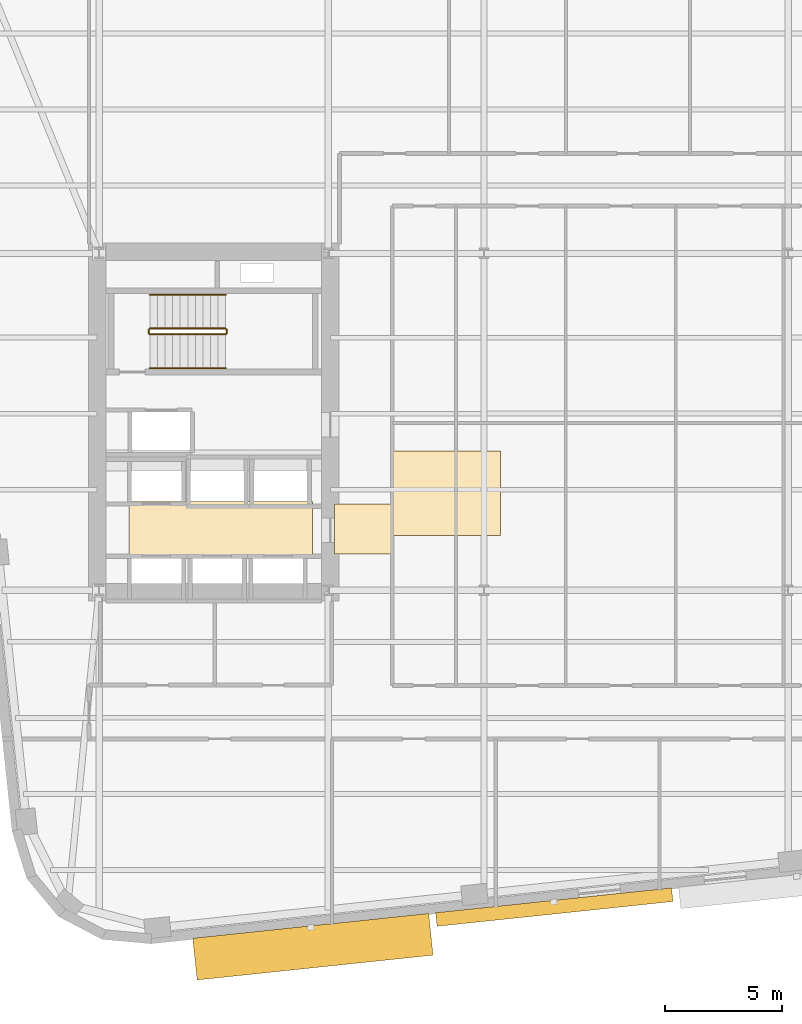
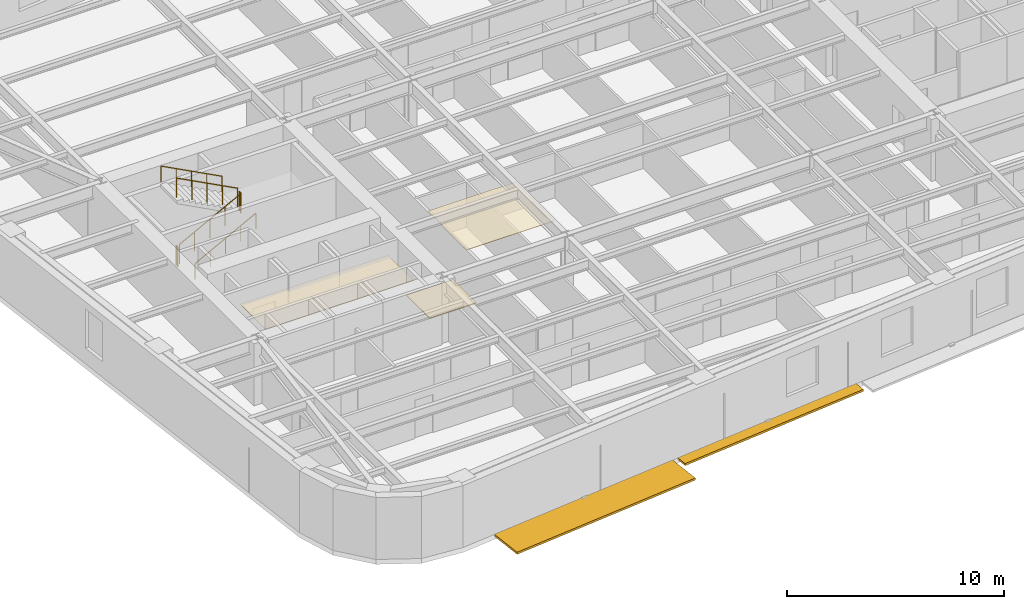
# One storey, part 9 of 13: 6 railings, 3 coverings, 2 shading devices.
"""IFC4 building model written with IfcOpenShell, lengths in metres."""

from ifc_helpers import new_model, si_unit, direction, frame, origin, origin_2d, place, context, subcontext, project, spatial, polyline, rectangle, circle, outline, extrude, material, layer, layer_set, type_object, element, save


model = new_model("IFC4")

# Units and contexts
model_context = context("Model", 3, precision=1e-05, world=origin(), true_north=direction((0.0, 1.0)))
body_context = subcontext(model_context, "Body", "Model", "MODEL_VIEW")
ifc_project = project(units=[si_unit("LENGTHUNIT", "METRE"), si_unit("AREAUNIT", "SQUARE_METRE"), si_unit("VOLUMEUNIT", "CUBIC_METRE"), si_unit("PLANEANGLEUNIT", "RADIAN"), si_unit("MASSUNIT", "GRAM", prefix="KILO")], contexts=[model_context])

# Site, building, storey
site_placement = place(None, origin())
site = spatial("IfcSite", under=ifc_project, at=site_placement, CompositionType="ELEMENT")
building_placement = place(site_placement, origin())
building = spatial("IfcBuilding", under=site, at=building_placement, Name="Kolvaren Arena Tower", CompositionType="ELEMENT")
storey_placement = place(building_placement, frame((0.0, 0.0, 145.75)))
storey = spatial("IfcBuildingStorey", under=building, at=storey_placement, Name="L34", CompositionType="ELEMENT", Elevation=145.75)

# Coverings
ifc_material_1 = material(Name="Mineral fibre acoustic ceiling tile", Category="gypsum")
ifc_layer_1 = layer(ifc_material_1, 0.02490234375)
ifc_layer_set_1 = layer_set([ifc_layer_1], Name="Mineral fibre acoustic ceiling tile")
covering_type_1 = type_object("IfcCoveringType", Name="CEIL-ACT-1", PredefinedType="CEILING", material=ifc_layer_set_1)
covering_1_placement = place(storey_placement, frame((0.0, 0.0, 2.52001953125)))
element("IfcCovering", 1, at=covering_1_placement, inside=storey, type_object=covering_type_1, Name="Suspended Ceiling (L34)", PredefinedType="CEILING", context=body_context, shape_type="SweptSolid", body=[
    extrude(outline(polyline([(27.050048828125, 21.800048828125), (27.050048828125, 25.39990234375), (31.699951171875, 25.39990234375), (31.699951171875, 21.800048828125), (27.050048828125, 21.800048828125)])), origin(), (0.0, 0.0, 1.0), 0.02490234375),
])
ifc_material_2 = material(Name="Moisture-resistant gypsum ceiling", Category="gypsum")
ifc_layer_2 = layer(ifc_material_2, 0.030029296875)
ifc_layer_set_2 = layer_set([ifc_layer_2], Name="Moisture-resistant gypsum ceiling")
covering_type_2 = type_object("IfcCoveringType", Name="CEIL-GYP-1", PredefinedType="CEILING", material=ifc_layer_set_2)
covering_2_placement = place(storey_placement, frame((0.0, 0.0, 2.52001953125)))
element("IfcCovering", 2, at=covering_2_placement, inside=storey, type_object=covering_type_2, Name="Suspended Ceiling (L34)", PredefinedType="CEILING", context=body_context, shape_type="SweptSolid", body=[
    extrude(outline(polyline([(15.820068359375, 20.89990234375), (15.820068359375, 23.239990234375), (23.679931640625, 23.239990234375), (23.679931640625, 20.89990234375), (15.820068359375, 20.89990234375)])), origin(), (0.0, 0.0, 1.0), 0.030029296875),
])
ifc_material_3 = material(Name="Raised access office floor finish", Category="aluminium")
ifc_layer_3 = layer(ifc_material_3, 0.044921875)
ifc_layer_set_3 = layer_set([ifc_layer_3], Name="Raised access office floor finish")
covering_type_3 = type_object("IfcCoveringType", Name="FLOR-RAF-1", PredefinedType="FLOORING", material=ifc_layer_set_3)
covering_3_placement = place(storey_placement, origin())
element("IfcCovering", 3, at=covering_3_placement, inside=storey, type_object=covering_type_3, Name="Floor Finish (L34)", PredefinedType="FLOORING", context=body_context, shape_type="SweptSolid", body=[
    extrude(outline(polyline([(24.60009765625, 21.0), (24.60009765625, 23.14990234375), (27.080078125, 23.14990234375), (27.080078125, 21.0), (24.60009765625, 21.0)])), origin(), (0.0, 0.0, 1.0), 0.044921875),
])

# Railings
ifc_material_4 = material(Name="Painted galvanized steel", Category="steel")
railing_type_1 = type_object("IfcRailingType", Name="GUARD-ST-110", PredefinedType="GUARDRAIL", material=ifc_material_4)
railing_1_placement = place(storey_placement, frame((16.719970703125, 30.389892578125, 0.17041015625)))
element("IfcRailing", 4, at=railing_1_placement, inside=storey, type_object=railing_type_1, Name="L34 ST-W1 stair guard 1", PredefinedType="GUARDRAIL", context=body_context, shape_type="SweptSolid", body=[
    extrude(circle(Radius=0.02392578125, at=origin_2d()), frame((0.0, 0.0, 1.076171875), z_axis=(0.884993431791, 0.0, 0.465603506952), x_axis=(0.0, 1.0, 0.0)), (0.0, 0.0, 1.0), 3.6611328125),
    extrude(circle(Radius=0.02099609375, at=origin_2d()), origin(), (0.0, 0.0, 1.0), 1.052001953125),
    extrude(circle(Radius=0.02099609375, at=origin_2d()), frame((0.81005859375, 0.0, 0.42626953125)), (0.0, 0.0, 1.0), 1.052001953125),
    extrude(circle(Radius=0.02099609375, at=origin_2d()), frame((1.6201171875, 0.0, 0.852294921875)), (0.0, 0.0, 1.0), 1.052001953125),
    extrude(circle(Radius=0.02099609375, at=origin_2d()), frame((2.429931640625, 0.0, 1.2783203125)), (0.0, 0.0, 1.0), 1.052001953125),
    extrude(circle(Radius=0.02099609375, at=origin_2d()), frame((3.239990234375, 0.0, 1.70458984375)), (0.0, 0.0, 1.0), 1.052001953125),
])
railing_2_placement = place(storey_placement, frame((20.010009765625, 30.43994140625, 1.875)))
element("IfcRailing", 5, at=railing_2_placement, inside=storey, type_object=railing_type_1, Name="L34 ST-W1 stair guard 2", PredefinedType="GUARDRAIL", context=body_context, shape_type="SweptSolid", body=[
    extrude(circle(Radius=0.02392578125, at=origin_2d()), frame((0.0, 0.0, 1.076171875), z_axis=(0.0, 1.0, 0.0), x_axis=(-1.0, 0.0, 0.0)), (0.0, 0.0, 1.0), 0.150146484375),
    extrude(circle(Radius=0.02099609375, at=origin_2d()), origin(), (0.0, 0.0, 1.0), 1.052001953125),
    extrude(circle(Radius=0.02099609375, at=origin_2d()), frame((0.0, 0.150146484375, 0.0)), (0.0, 0.0, 1.0), 1.052001953125),
])
railing_3_placement = place(storey_placement, frame((19.9599609375, 30.639892578125, 2.04541015625)))
element("IfcRailing", 6, at=railing_3_placement, inside=storey, type_object=railing_type_1, Name="L34 ST-W1 stair guard 3", PredefinedType="GUARDRAIL", context=body_context, shape_type="SweptSolid", body=[
    extrude(circle(Radius=0.02392578125, at=origin_2d()), frame((0.0, 0.0, 1.076171875), z_axis=(-0.884993431791, 0.0, 0.465603506952), x_axis=(0.0, -1.0, 0.0)), (0.0, 0.0, 1.0), 3.6611328125),
    extrude(circle(Radius=0.02099609375, at=origin_2d()), origin(), (0.0, 0.0, 1.0), 1.052001953125),
    extrude(circle(Radius=0.02099609375, at=origin_2d()), frame((-0.81005859375, 0.0, 0.42626953125)), (0.0, 0.0, 1.0), 1.052001953125),
    extrude(circle(Radius=0.02099609375, at=origin_2d()), frame((-1.6201171875, 0.0, 0.852294921875)), (0.0, 0.0, 1.0), 1.052001953125),
    extrude(circle(Radius=0.02099609375, at=origin_2d()), frame((-2.429931640625, 0.0, 1.2783203125)), (0.0, 0.0, 1.0), 1.052001953125),
    extrude(circle(Radius=0.02099609375, at=origin_2d()), frame((-3.239990234375, 0.0, 1.70458984375)), (0.0, 0.0, 1.0), 1.052001953125),
])
railing_4_placement = place(storey_placement, frame((16.669921875, 30.43994140625, 0.0)))
element("IfcRailing", 7, at=railing_4_placement, inside=storey, type_object=railing_type_1, Name="L34 ST-W1 stair guard 4", PredefinedType="GUARDRAIL", context=body_context, shape_type="SweptSolid", body=[
    extrude(circle(Radius=0.02392578125, at=origin_2d()), frame((0.0, 0.0, 1.076171875), z_axis=(0.0, 1.0, 0.0), x_axis=(-1.0, 0.0, 0.0)), (0.0, 0.0, 1.0), 0.150146484375),
    extrude(circle(Radius=0.02099609375, at=origin_2d()), origin(), (0.0, 0.0, 1.0), 1.052001953125),
    extrude(circle(Radius=0.02099609375, at=origin_2d()), frame((0.0, 0.150146484375, 0.0)), (0.0, 0.0, 1.0), 1.052001953125),
])
ifc_material_5 = material(Name="Brushed stainless steel handrail", Category="steel")
railing_type_2 = type_object("IfcRailingType", Name="HRAIL-900", PredefinedType="HANDRAIL", material=ifc_material_5)
railing_5_placement = place(storey_placement, frame((16.719970703125, 28.949951171875, 0.17041015625)))
element("IfcRailing", 8, at=railing_5_placement, inside=storey, type_object=railing_type_2, Name="L34 ST-W1 stair handrail 1", PredefinedType="HANDRAIL", context=body_context, shape_type="SweptSolid", body=[
    extrude(circle(Radius=0.02392578125, at=origin_2d()), frame((0.0, 0.0, 0.8759765625), z_axis=(0.884993431791, 0.0, 0.465603506952), x_axis=(0.0, 1.0, 0.0)), (0.0, 0.0, 1.0), 3.6611328125),
    extrude(circle(Radius=0.02099609375, at=origin_2d()), origin(), (0.0, 0.0, 1.0), 0.851806640625),
    extrude(circle(Radius=0.02099609375, at=origin_2d()), frame((0.81005859375, 0.0, 0.42626953125)), (0.0, 0.0, 1.0), 0.851806640625),
    extrude(circle(Radius=0.02099609375, at=origin_2d()), frame((1.6201171875, 0.0, 0.852294921875)), (0.0, 0.0, 1.0), 0.851806640625),
    extrude(circle(Radius=0.02099609375, at=origin_2d()), frame((2.429931640625, 0.0, 1.2783203125)), (0.0, 0.0, 1.0), 0.851806640625),
    extrude(circle(Radius=0.02099609375, at=origin_2d()), frame((3.239990234375, 0.0, 1.70458984375)), (0.0, 0.0, 1.0), 0.851806640625),
])
railing_6_placement = place(storey_placement, frame((19.9599609375, 32.080078125, 2.04541015625)))
element("IfcRailing", 9, at=railing_6_placement, inside=storey, type_object=railing_type_2, Name="L34 ST-W1 stair handrail 2", PredefinedType="HANDRAIL", context=body_context, shape_type="SweptSolid", body=[
    extrude(circle(Radius=0.02392578125, at=origin_2d()), frame((0.0, 0.0, 0.8759765625), z_axis=(-0.884993431791, 0.0, 0.465603506952), x_axis=(0.0, -1.0, 0.0)), (0.0, 0.0, 1.0), 3.6611328125),
    extrude(circle(Radius=0.02099609375, at=origin_2d()), origin(), (0.0, 0.0, 1.0), 0.851806640625),
    extrude(circle(Radius=0.02099609375, at=origin_2d()), frame((-0.81005859375, 0.0, 0.42626953125)), (0.0, 0.0, 1.0), 0.851806640625),
    extrude(circle(Radius=0.02099609375, at=origin_2d()), frame((-1.6201171875, 0.0, 0.852294921875)), (0.0, 0.0, 1.0), 0.851806640625),
    extrude(circle(Radius=0.02099609375, at=origin_2d()), frame((-2.429931640625, 0.0, 1.2783203125)), (0.0, 0.0, 1.0), 0.851806640625),
    extrude(circle(Radius=0.02099609375, at=origin_2d()), frame((-3.239990234375, 0.0, 1.70458984375)), (0.0, 0.0, 1.0), 0.851806640625),
])

# Shading devices
ifc_material_6 = material(Name="Architectural precast GFRC and anodised aluminium sunshade", Category="concrete")
shading_device_type_1 = type_object("IfcShadingDeviceType", Name="SHAD-SINE-A", PredefinedType="USERDEFINED", material=ifc_material_6)
shading_device_1_placement = place(storey_placement, frame((34.00634765625, 5.909912109375, -0.14013671875), z_axis=(0.0, 0.0, 1.0), x_axis=(-0.994522077803, -0.104526727499, 0.0)))
element("IfcShadingDevice", 10, at=shading_device_1_placement, inside=storey, type_object=shading_device_type_1, Name="Sinusoidal Slab-Edge Sunshade Louvre (L34)", ObjectType="LOUVRE", PredefinedType="USERDEFINED", context=body_context, shape_type="SweptSolid", body=[
    extrude(rectangle(XDim=10.139892578125, YDim=0.5849609375, at=origin_2d()), origin(), (0.0, 0.0, 1.0), 0.1201171875),
])
shading_device_type_2 = type_object("IfcShadingDeviceType", Name="SHAD-SINE-B", PredefinedType="JALOUSIE", material=ifc_material_6)
shading_device_2_placement = place(storey_placement, frame((23.686767578125, 4.21728515625, -0.14013671875), z_axis=(0.0, 0.0, 1.0), x_axis=(-0.994522077803, -0.104526727499, 0.0)))
element("IfcShadingDevice", 11, at=shading_device_2_placement, inside=storey, type_object=shading_device_type_2, Name="Sinusoidal Slab-Edge Sunshade Louvre (L34)", PredefinedType="JALOUSIE", context=body_context, shape_type="SweptSolid", body=[
    extrude(rectangle(XDim=10.139892578125, YDim=1.7939453125, at=origin_2d()), origin(), (0.0, 0.0, 1.0), 0.1201171875),
])

save(model, "model.ifc")
